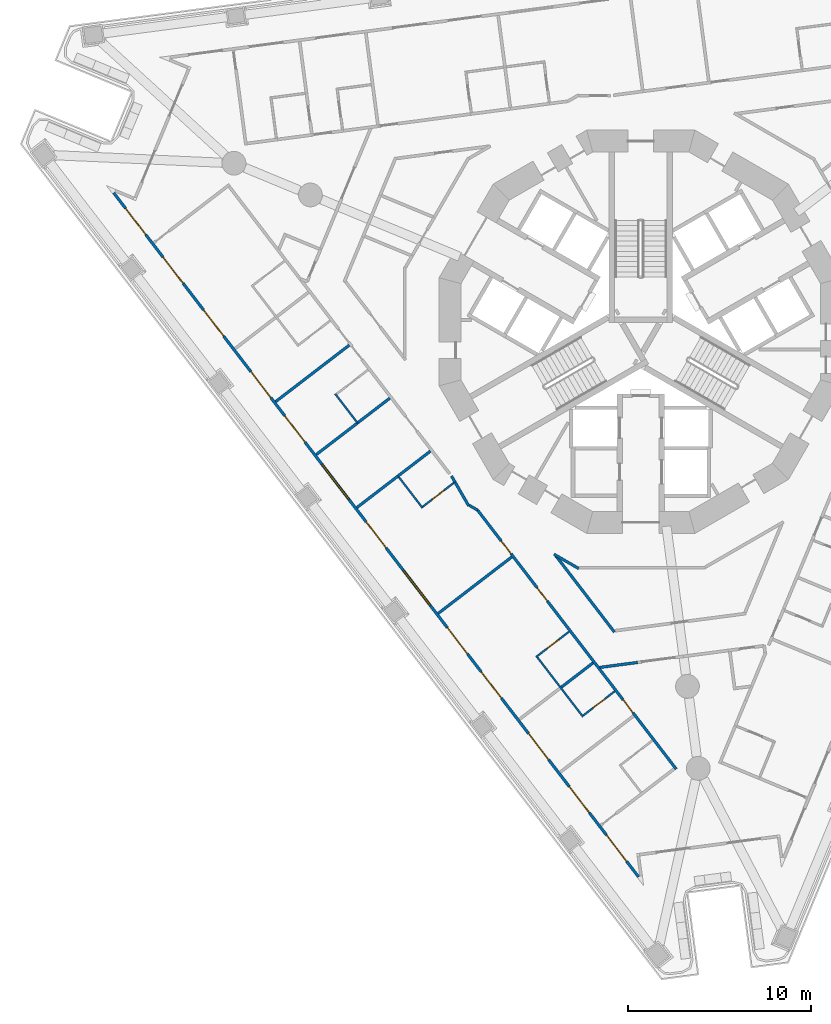
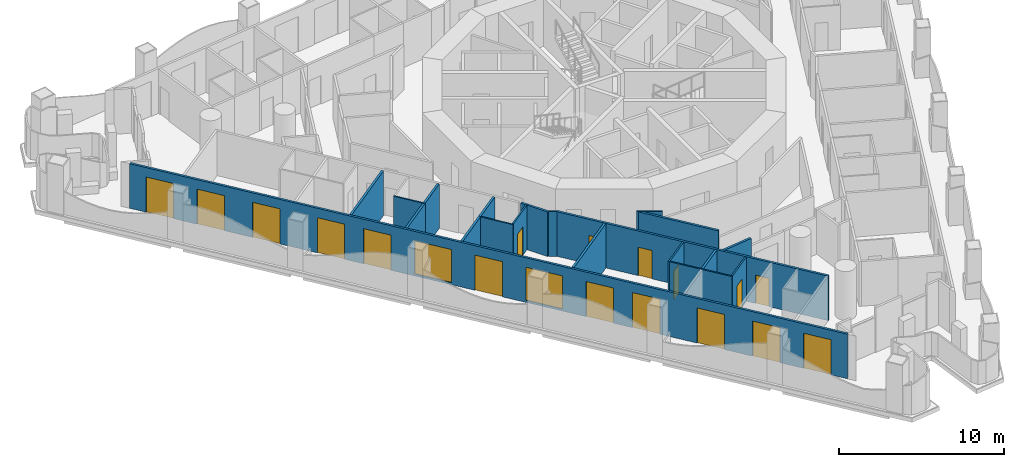
# One storey, part 2 of 19: 21 walls, 17 doors, 2 windows, 19 openings.
"""IFC4 building model written with IfcOpenShell, lengths in metres."""

from ifc_helpers import new_model, si_unit, direction, frame, frame_2d, origin, place, context, subcontext, project, spatial, polyline, rectangle, outline, extrude, material, layer, layer_set, type_object, element, fill, save


model = new_model("IFC4")

# Units and contexts
model_context = context("Model", 3, precision=1e-05, world=origin(), true_north=direction((0.0, 1.0)))
body_context = subcontext(model_context, "Body", "Model", "MODEL_VIEW")
ifc_project = project(units=[si_unit("LENGTHUNIT", "METRE"), si_unit("AREAUNIT", "SQUARE_METRE"), si_unit("VOLUMEUNIT", "CUBIC_METRE"), si_unit("PLANEANGLEUNIT", "RADIAN"), si_unit("MASSUNIT", "GRAM", prefix="KILO")], contexts=[model_context])

# Site, building, storey
site_placement = place(None, origin())
site = spatial("IfcSite", under=ifc_project, at=site_placement, CompositionType="ELEMENT")
building_placement = place(site_placement, origin())
building = spatial("IfcBuilding", under=site, at=building_placement, Name="Trine Commons Tower", CompositionType="ELEMENT")
storey_placement = place(building_placement, frame((0.0, 0.0, 68.39990234375)))
storey = spatial("IfcBuildingStorey", under=building, at=storey_placement, Name="L16", CompositionType="ELEMENT", Elevation=68.39990234375)

# Wall, openings, windows, doors
ifc_material_1 = material(Name="Aluminium-framed insulated wall panel", Category="aluminium")
ifc_layer_1 = layer(ifc_material_1, 0.14990234375)
ifc_layer_set_1 = layer_set([ifc_layer_1], Name="Aluminium-framed insulated wall panel")
wall_type_1 = type_object("IfcWallType", Name="Glazed frame wall 150, EI 60", PredefinedType="SOLIDWALL", material=ifc_layer_set_1)
wall_1_placement = place(storey_placement, frame((79.968994140625, 32.624267578125, 0.0), z_axis=(0.0, 0.0, 1.0), x_axis=(-0.608761526367, 0.793353265585, 0.0)))
wall_1 = element("IfcWall", 1, at=wall_1_placement, inside=storey, type_object=wall_type_1, Name="Glazed frame wall F3", PredefinedType="SOLIDWALL", context=body_context, shape_type="SweptSolid", body=[
    extrude(outline(polyline([(0.1494140625, 0.074951171875), (0.1494140625, -0.074951171875), (47.216796875, -0.074951171875), (47.216796875, 0.074951171875), (0.1494140625, 0.074951171875)])), origin(), (0.0, 0.0, 1.0), 3.300048828125),
])
opening_1_placement = place(wall_1_placement, frame((1.2216796875, 0.0, 0.0)))
opening_1 = element("IfcOpeningElement", 2, at=opening_1_placement, cuts=wall_1, Name="Opening BD-2F3-01", PredefinedType="OPENING", context=body_context, shape_type="SweptSolid", body=[
    extrude(rectangle(XDim=1.800048828125, YDim=2.60009765625, at=frame_2d((0.89990234375, 1.300048828125))), frame((0.0, 0.0849609375, 0.0), z_axis=(0.0, -1.0, 0.0), x_axis=(1.0, 0.0, 0.0)), (0.0, 0.0, 1.0), 0.169921875),
])
opening_2_placement = place(wall_1_placement, frame((4.5654296875, 0.0, 0.0)))
opening_2 = element("IfcOpeningElement", 3, at=opening_2_placement, cuts=wall_1, Name="Opening BD-2F3-02", PredefinedType="OPENING", context=body_context, shape_type="SweptSolid", body=[
    extrude(rectangle(XDim=1.800048828125, YDim=2.60009765625, at=frame_2d((0.89990234375, 1.300048828125))), frame((0.0, 0.0849609375, 0.0), z_axis=(0.0, -1.0, 0.0), x_axis=(1.0, 0.0, 0.0)), (0.0, 0.0, 1.0), 0.169921875),
])
opening_3_placement = place(wall_1_placement, frame((8.208984375, 0.0, 0.0)))
opening_3 = element("IfcOpeningElement", 4, at=opening_3_placement, cuts=wall_1, Name="Opening BD-2F3-03", PredefinedType="OPENING", context=body_context, shape_type="SweptSolid", body=[
    extrude(rectangle(XDim=1.800048828125, YDim=2.60009765625, at=frame_2d((0.89990234375, 1.300048828125))), frame((0.0, 0.0849609375, 0.0), z_axis=(0.0, -1.0, 0.0), x_axis=(1.0, 0.0, 0.0)), (0.0, 0.0, 1.0), 0.169921875),
])
opening_4_placement = place(wall_1_placement, frame((12.45263671875, 0.0, 0.0)))
opening_4 = element("IfcOpeningElement", 5, at=opening_4_placement, cuts=wall_1, Name="Opening BD-2F3-04", PredefinedType="OPENING", context=body_context, shape_type="SweptSolid", body=[
    extrude(rectangle(XDim=1.800048828125, YDim=2.60009765625, at=frame_2d((0.89990234375, 1.300048828125))), frame((0.0, 0.0849609375, 0.0), z_axis=(0.0, -1.0, 0.0), x_axis=(1.0, 0.0, 0.0)), (0.0, 0.0, 1.0), 0.169921875),
])
opening_5_placement = place(wall_1_placement, frame((15.49609375, 0.0, 0.0)))
opening_5 = element("IfcOpeningElement", 6, at=opening_5_placement, cuts=wall_1, Name="Opening BD-2F3-05", PredefinedType="OPENING", context=body_context, shape_type="SweptSolid", body=[
    extrude(rectangle(XDim=1.800048828125, YDim=2.60009765625, at=frame_2d((0.89990234375, 1.300048828125))), frame((0.0, 0.0849609375, 0.0), z_axis=(0.0, -1.0, 0.0), x_axis=(1.0, 0.0, 0.0)), (0.0, 0.0, 1.0), 0.169921875),
])
opening_6_placement = place(wall_1_placement, frame((18.83984375, 0.0, 0.14990234375)))
opening_6 = element("IfcOpeningElement", 7, at=opening_6_placement, cuts=wall_1, Name="Opening W-2F3-06", PredefinedType="OPENING", context=body_context, shape_type="SweptSolid", body=[
    extrude(rectangle(XDim=2.39990234375, YDim=2.449951171875, at=frame_2d((1.199951171875, 1.22509765625))), frame((0.0, 0.0849609375, 0.0), z_axis=(0.0, -1.0, 0.0), x_axis=(1.0, 0.0, 0.0)), (0.0, 0.0, 1.0), 0.169921875),
])
opening_7_placement = place(wall_1_placement, frame((22.783447265625, 0.0, 0.0)))
opening_7 = element("IfcOpeningElement", 8, at=opening_7_placement, cuts=wall_1, Name="Opening BD-2F3-07", PredefinedType="OPENING", context=body_context, shape_type="SweptSolid", body=[
    extrude(rectangle(XDim=1.800048828125, YDim=2.60009765625, at=frame_2d((0.89990234375, 1.300048828125))), frame((0.0, 0.0849609375, 0.0), z_axis=(0.0, -1.0, 0.0), x_axis=(1.0, 0.0, 0.0)), (0.0, 0.0, 1.0), 0.169921875),
])
opening_8_placement = place(wall_1_placement, frame((26.126953125, 0.0, 0.14990234375)))
opening_8 = element("IfcOpeningElement", 9, at=opening_8_placement, cuts=wall_1, Name="Opening W-2F3-08", PredefinedType="OPENING", context=body_context, shape_type="SweptSolid", body=[
    extrude(rectangle(XDim=2.39990234375, YDim=2.449951171875, at=frame_2d((1.199951171875, 1.22509765625))), frame((0.0, 0.0849609375, 0.0), z_axis=(0.0, -1.0, 0.0), x_axis=(1.0, 0.0, 0.0)), (0.0, 0.0, 1.0), 0.169921875),
])
opening_9_placement = place(wall_1_placement, frame((30.070556640625, 0.0, 0.0)))
opening_9 = element("IfcOpeningElement", 10, at=opening_9_placement, cuts=wall_1, Name="Opening BD-2F3-09", PredefinedType="OPENING", context=body_context, shape_type="SweptSolid", body=[
    extrude(rectangle(XDim=1.800048828125, YDim=2.60009765625, at=frame_2d((0.89990234375, 1.300048828125))), frame((0.0, 0.0849609375, 0.0), z_axis=(0.0, -1.0, 0.0), x_axis=(1.0, 0.0, 0.0)), (0.0, 0.0, 1.0), 0.169921875),
])
opening_10_placement = place(wall_1_placement, frame((33.1142578125, 0.0, 0.0)))
opening_10 = element("IfcOpeningElement", 11, at=opening_10_placement, cuts=wall_1, Name="Opening BD-2F3-10", PredefinedType="OPENING", context=body_context, shape_type="SweptSolid", body=[
    extrude(rectangle(XDim=1.800048828125, YDim=2.60009765625, at=frame_2d((0.89990234375, 1.300048828125))), frame((0.0, 0.0849609375, 0.0), z_axis=(0.0, -1.0, 0.0), x_axis=(1.0, 0.0, 0.0)), (0.0, 0.0, 1.0), 0.169921875),
])
opening_11_placement = place(wall_1_placement, frame((37.35791015625, 0.0, 0.0)))
opening_11 = element("IfcOpeningElement", 12, at=opening_11_placement, cuts=wall_1, Name="Opening BD-2F3-11", PredefinedType="OPENING", context=body_context, shape_type="SweptSolid", body=[
    extrude(rectangle(XDim=1.800048828125, YDim=2.60009765625, at=frame_2d((0.89990234375, 1.300048828125))), frame((0.0, 0.0849609375, 0.0), z_axis=(0.0, -1.0, 0.0), x_axis=(1.0, 0.0, 0.0)), (0.0, 0.0, 1.0), 0.169921875),
])
opening_12_placement = place(wall_1_placement, frame((41.00146484375, 0.0, 0.0)))
opening_12 = element("IfcOpeningElement", 13, at=opening_12_placement, cuts=wall_1, Name="Opening BD-2F3-12", PredefinedType="OPENING", context=body_context, shape_type="SweptSolid", body=[
    extrude(rectangle(XDim=1.800048828125, YDim=2.60009765625, at=frame_2d((0.89990234375, 1.300048828125))), frame((0.0, 0.0849609375, 0.0), z_axis=(0.0, -1.0, 0.0), x_axis=(1.0, 0.0, 0.0)), (0.0, 0.0, 1.0), 0.169921875),
])
opening_13_placement = place(wall_1_placement, frame((44.344970703125, 0.0, 0.0)))
opening_13 = element("IfcOpeningElement", 14, at=opening_13_placement, cuts=wall_1, Name="Opening BD-2F3-13", PredefinedType="OPENING", context=body_context, shape_type="SweptSolid", body=[
    extrude(rectangle(XDim=1.800048828125, YDim=2.60009765625, at=frame_2d((0.89990234375, 1.300048828125))), frame((0.0, 0.0849609375, 0.0), z_axis=(0.0, -1.0, 0.0), x_axis=(1.0, 0.0, 0.0)), (0.0, 0.0, 1.0), 0.169921875),
])
ifc_material_2 = material(Name="Anodised aluminium frame with double glazing", Category="aluminium")
window_type = type_object("IfcWindowType", Name="Fixed window 2400x2450", PartitioningType="SINGLE_PANEL", PredefinedType="WINDOW", material=ifc_material_2)
window_1_placement = place(opening_6_placement, origin())
window_1 = element("IfcWindow", 15, at=window_1_placement, inside=storey, type_object=window_type, Name="Window F3 6", OverallHeight=2.449951171875, OverallWidth=2.39990234375, PartitioningType="SINGLE_PANEL", PredefinedType="WINDOW", context=body_context, shape_type="SweptSolid", body=[
    extrude(rectangle(XDim=2.39990234375, YDim=2.449951171875, at=frame_2d((1.199951171875, 1.22509765625))), frame((0.0, 0.030029296875, 0.0), z_axis=(0.0, -1.0, 0.0), x_axis=(1.0, 0.0, 0.0)), (0.0, 0.0, 1.0), 0.06005859375),
])
fill(opening_6, window_1)
window_2_placement = place(opening_8_placement, origin())
window_2 = element("IfcWindow", 16, at=window_2_placement, inside=storey, type_object=window_type, Name="Window F3 8", OverallHeight=2.449951171875, OverallWidth=2.39990234375, PartitioningType="SINGLE_PANEL", PredefinedType="WINDOW", context=body_context, shape_type="SweptSolid", body=[
    extrude(rectangle(XDim=2.39990234375, YDim=2.449951171875, at=frame_2d((1.199951171875, 1.22509765625))), frame((0.0, 0.030029296875, 0.0), z_axis=(0.0, -1.0, 0.0), x_axis=(1.0, 0.0, 0.0)), (0.0, 0.0, 1.0), 0.06005859375),
])
fill(opening_8, window_2)
door_type_1 = type_object("IfcDoorType", Name="Sliding loggia door 1800x2600", OperationType="SLIDING_TO_LEFT", PredefinedType="DOOR", material=ifc_material_2)
door_1_placement = place(opening_1_placement, origin())
door_1 = element("IfcDoor", 17, at=door_1_placement, inside=storey, type_object=door_type_1, Name="Loggia door F3 1", OperationType="SLIDING_TO_LEFT", OverallHeight=2.60009765625, OverallWidth=1.800048828125, PredefinedType="DOOR", context=body_context, shape_type="SweptSolid", body=[
    extrude(rectangle(XDim=1.800048828125, YDim=2.60009765625, at=frame_2d((0.89990234375, 1.300048828125))), frame((0.0, 0.02490234375, 0.0), z_axis=(0.0, -1.0, 0.0), x_axis=(1.0, 0.0, 0.0)), (0.0, 0.0, 1.0), 0.050048828125),
])
fill(opening_1, door_1)
door_2_placement = place(opening_2_placement, origin())
door_2 = element("IfcDoor", 18, at=door_2_placement, inside=storey, type_object=door_type_1, Name="Loggia door F3 2", OperationType="SLIDING_TO_LEFT", OverallHeight=2.60009765625, OverallWidth=1.800048828125, PredefinedType="DOOR", context=body_context, shape_type="SweptSolid", body=[
    extrude(rectangle(XDim=1.800048828125, YDim=2.60009765625, at=frame_2d((0.89990234375, 1.300048828125))), frame((0.0, 0.02490234375, 0.0), z_axis=(0.0, -1.0, 0.0), x_axis=(1.0, 0.0, 0.0)), (0.0, 0.0, 1.0), 0.050048828125),
])
fill(opening_2, door_2)
door_3_placement = place(opening_3_placement, origin())
door_3 = element("IfcDoor", 19, at=door_3_placement, inside=storey, type_object=door_type_1, Name="Loggia door F3 3", OperationType="SLIDING_TO_LEFT", OverallHeight=2.60009765625, OverallWidth=1.800048828125, PredefinedType="DOOR", context=body_context, shape_type="SweptSolid", body=[
    extrude(rectangle(XDim=1.800048828125, YDim=2.60009765625, at=frame_2d((0.89990234375, 1.300048828125))), frame((0.0, 0.02490234375, 0.0), z_axis=(0.0, -1.0, 0.0), x_axis=(1.0, 0.0, 0.0)), (0.0, 0.0, 1.0), 0.050048828125),
])
fill(opening_3, door_3)
door_4_placement = place(opening_4_placement, origin())
door_4 = element("IfcDoor", 20, at=door_4_placement, inside=storey, type_object=door_type_1, Name="Loggia door F3 4", OperationType="SLIDING_TO_LEFT", OverallHeight=2.60009765625, OverallWidth=1.800048828125, PredefinedType="DOOR", context=body_context, shape_type="SweptSolid", body=[
    extrude(rectangle(XDim=1.800048828125, YDim=2.60009765625, at=frame_2d((0.89990234375, 1.300048828125))), frame((0.0, 0.02490234375, 0.0), z_axis=(0.0, -1.0, 0.0), x_axis=(1.0, 0.0, 0.0)), (0.0, 0.0, 1.0), 0.050048828125),
])
fill(opening_4, door_4)
door_5_placement = place(opening_5_placement, origin())
door_5 = element("IfcDoor", 21, at=door_5_placement, inside=storey, type_object=door_type_1, Name="Loggia door F3 5", OperationType="SLIDING_TO_LEFT", OverallHeight=2.60009765625, OverallWidth=1.800048828125, PredefinedType="DOOR", context=body_context, shape_type="SweptSolid", body=[
    extrude(rectangle(XDim=1.800048828125, YDim=2.60009765625, at=frame_2d((0.89990234375, 1.300048828125))), frame((0.0, 0.02490234375, 0.0), z_axis=(0.0, -1.0, 0.0), x_axis=(1.0, 0.0, 0.0)), (0.0, 0.0, 1.0), 0.050048828125),
])
fill(opening_5, door_5)
door_6_placement = place(opening_7_placement, origin())
door_6 = element("IfcDoor", 22, at=door_6_placement, inside=storey, type_object=door_type_1, Name="Loggia door F3 7", OperationType="SLIDING_TO_LEFT", OverallHeight=2.60009765625, OverallWidth=1.800048828125, PredefinedType="DOOR", context=body_context, shape_type="SweptSolid", body=[
    extrude(rectangle(XDim=1.800048828125, YDim=2.60009765625, at=frame_2d((0.89990234375, 1.300048828125))), frame((0.0, 0.02490234375, 0.0), z_axis=(0.0, -1.0, 0.0), x_axis=(1.0, 0.0, 0.0)), (0.0, 0.0, 1.0), 0.050048828125),
])
fill(opening_7, door_6)
door_7_placement = place(opening_9_placement, origin())
door_7 = element("IfcDoor", 23, at=door_7_placement, inside=storey, type_object=door_type_1, Name="Loggia door F3 9", OperationType="SLIDING_TO_LEFT", OverallHeight=2.60009765625, OverallWidth=1.800048828125, PredefinedType="DOOR", context=body_context, shape_type="SweptSolid", body=[
    extrude(rectangle(XDim=1.800048828125, YDim=2.60009765625, at=frame_2d((0.89990234375, 1.300048828125))), frame((0.0, 0.02490234375, 0.0), z_axis=(0.0, -1.0, 0.0), x_axis=(1.0, 0.0, 0.0)), (0.0, 0.0, 1.0), 0.050048828125),
])
fill(opening_9, door_7)
door_8_placement = place(opening_10_placement, origin())
door_8 = element("IfcDoor", 24, at=door_8_placement, inside=storey, type_object=door_type_1, Name="Loggia door F3 10", OperationType="SLIDING_TO_LEFT", OverallHeight=2.60009765625, OverallWidth=1.800048828125, PredefinedType="DOOR", context=body_context, shape_type="SweptSolid", body=[
    extrude(rectangle(XDim=1.800048828125, YDim=2.60009765625, at=frame_2d((0.89990234375, 1.300048828125))), frame((0.0, 0.02490234375, 0.0), z_axis=(0.0, -1.0, 0.0), x_axis=(1.0, 0.0, 0.0)), (0.0, 0.0, 1.0), 0.050048828125),
])
fill(opening_10, door_8)
door_9_placement = place(opening_11_placement, origin())
door_9 = element("IfcDoor", 25, at=door_9_placement, inside=storey, type_object=door_type_1, Name="Loggia door F3 11", OperationType="SLIDING_TO_LEFT", OverallHeight=2.60009765625, OverallWidth=1.800048828125, PredefinedType="DOOR", context=body_context, shape_type="SweptSolid", body=[
    extrude(rectangle(XDim=1.800048828125, YDim=2.60009765625, at=frame_2d((0.89990234375, 1.300048828125))), frame((0.0, 0.02490234375, 0.0), z_axis=(0.0, -1.0, 0.0), x_axis=(1.0, 0.0, 0.0)), (0.0, 0.0, 1.0), 0.050048828125),
])
fill(opening_11, door_9)
door_10_placement = place(opening_12_placement, origin())
door_10 = element("IfcDoor", 26, at=door_10_placement, inside=storey, type_object=door_type_1, Name="Loggia door F3 12", OperationType="SLIDING_TO_LEFT", OverallHeight=2.60009765625, OverallWidth=1.800048828125, PredefinedType="DOOR", context=body_context, shape_type="SweptSolid", body=[
    extrude(rectangle(XDim=1.800048828125, YDim=2.60009765625, at=frame_2d((0.89990234375, 1.300048828125))), frame((0.0, 0.02490234375, 0.0), z_axis=(0.0, -1.0, 0.0), x_axis=(1.0, 0.0, 0.0)), (0.0, 0.0, 1.0), 0.050048828125),
])
fill(opening_12, door_10)
door_11_placement = place(opening_13_placement, origin())
door_11 = element("IfcDoor", 27, at=door_11_placement, inside=storey, type_object=door_type_1, Name="Loggia door F3 13", OperationType="SLIDING_TO_LEFT", OverallHeight=2.60009765625, OverallWidth=1.800048828125, PredefinedType="DOOR", context=body_context, shape_type="SweptSolid", body=[
    extrude(rectangle(XDim=1.800048828125, YDim=2.60009765625, at=frame_2d((0.89990234375, 1.300048828125))), frame((0.0, 0.02490234375, 0.0), z_axis=(0.0, -1.0, 0.0), x_axis=(1.0, 0.0, 0.0)), (0.0, 0.0, 1.0), 0.050048828125),
])
fill(opening_13, door_11)

# Walls
ifc_material_3 = material(Name="Gypsum plasterboard on steel stud", Category="steel")
ifc_layer_2 = layer(ifc_material_3, 0.14990234375)
ifc_layer_set_2 = layer_set([ifc_layer_2], Name="Gypsum plasterboard on steel stud")
wall_type_2 = type_object("IfcWallType", Name="Unit and corridor wall 150 mm, EI 60", PredefinedType="PARTITIONING", material=ifc_layer_set_2)
wall_2_placement = place(storey_placement, frame((60.065673828125, 58.686279296875, 0.0), z_axis=(0.0, 0.0, 1.0), x_axis=(0.793444149255, 0.608643066184, 0.0)))
element("IfcWall", 28, at=wall_2_placement, inside=storey, type_object=wall_type_2, Name="Partition 010", PredefinedType="PARTITIONING", context=body_context, shape_type="SweptSolid", body=[
    extrude(rectangle(XDim=5.063720703125, YDim=0.14990234375, at=frame_2d((2.53173828125, 0.0))), origin(), (0.0, 0.0, 1.0), 3.300048828125),
])
wall_3_placement = place(storey_placement, frame((62.28369140625, 55.79541015625, 0.0), z_axis=(0.0, 0.0, 1.0), x_axis=(0.793376845769, 0.608730794849, 0.0)))
element("IfcWall", 29, at=wall_3_placement, inside=storey, type_object=wall_type_2, Name="Partition 021", PredefinedType="PARTITIONING", context=body_context, shape_type="SweptSolid", body=[
    extrude(rectangle(XDim=2.8427734375, YDim=0.14990234375, at=frame_2d((1.42138671875, 0.0))), origin(), (0.0, 0.0, 1.0), 3.300048828125),
])
wall_4_placement = place(storey_placement, frame((64.501708984375, 52.904296875, 0.0), z_axis=(0.0, 0.0, 1.0), x_axis=(0.793399431095, 0.608701357595, 0.0)))
element("IfcWall", 30, at=wall_4_placement, inside=storey, type_object=wall_type_2, Name="Partition 031", PredefinedType="PARTITIONING", context=body_context, shape_type="SweptSolid", body=[
    extrude(rectangle(XDim=2.830078125, YDim=0.14990234375, at=frame_2d((1.4150390625, 0.0))), origin(), (0.0, 0.0, 1.0), 3.300048828125),
])
wall_5_placement = place(storey_placement, frame((64.532958984375, 57.52197265625, 0.0), z_axis=(0.0, 0.0, 1.0), x_axis=(0.793486460679, 0.608587903856, 0.0)))
element("IfcWall", 31, at=wall_5_placement, inside=storey, type_object=wall_type_2, Name="Partition 032", PredefinedType="PARTITIONING", context=body_context, shape_type="SweptSolid", body=[
    extrude(rectangle(XDim=2.228759765625, YDim=0.14990234375, at=frame_2d((1.1142578125, 0.0))), origin(), (0.0, 0.0, 1.0), 3.300048828125),
])
wall_6_placement = place(storey_placement, frame((66.7470703125, 54.626953125, 0.0), z_axis=(0.0, 0.0, 1.0), x_axis=(0.793289688579, 0.608844372557, 0.0)))
element("IfcWall", 32, at=wall_6_placement, inside=storey, type_object=wall_type_2, Name="Partition 041", PredefinedType="PARTITIONING", context=body_context, shape_type="SweptSolid", body=[
    extrude(rectangle(XDim=2.234375, YDim=0.14990234375, at=frame_2d((1.1171875, 0.0))), origin(), (0.0, 0.0, 1.0), 3.300048828125),
])
wall_7_placement = place(storey_placement, frame((68.937744140625, 47.123291015625, 0.0), z_axis=(0.0, 0.0, 1.0), x_axis=(0.793351017656, 0.608764455913, 0.0)))
element("IfcWall", 33, at=wall_7_placement, inside=storey, type_object=wall_type_2, Name="Partition 047", PredefinedType="PARTITIONING", context=body_context, shape_type="SweptSolid", body=[
    extrude(rectangle(XDim=5.064453125, YDim=0.14990234375, at=frame_2d((2.5322265625, 0.0))), origin(), (0.0, 0.0, 1.0), 3.300048828125),
])
wall_8_placement = place(storey_placement, frame((69.664794921875, 54.6279296875, 0.0), z_axis=(0.0, 0.0, 1.0), x_axis=(0.497978014269, -0.86718965475, 0.0)))
element("IfcWall", 34, at=wall_8_placement, inside=storey, type_object=wall_type_2, Name="Partition 048", PredefinedType="PARTITIONING", context=body_context, shape_type="SweptSolid", body=[
    extrude(rectangle(XDim=0.400146484375, YDim=0.14990234375, at=frame_2d((0.2001953125, 0.0))), origin(), (0.0, 0.0, 1.0), 3.300048828125),
])
wall_9_placement = place(storey_placement, frame((69.826904296875, 54.347412109375, 0.0), z_axis=(0.0, 0.0, 1.0), x_axis=(0.499636333304, -0.866235265065, 0.0)))
element("IfcWall", 35, at=wall_9_placement, inside=storey, type_object=wall_type_2, Name="Partition 049", PredefinedType="PARTITIONING", context=body_context, shape_type="SweptSolid", body=[
    extrude(rectangle(XDim=1.554443359375, YDim=0.14990234375, at=frame_2d((0.77734375, 0.0))), origin(), (0.0, 0.0, 1.0), 3.300048828125),
])
wall_10_placement = place(storey_placement, frame((70.631103515625, 53.028564453125, 0.0), z_axis=(0.0, 0.0, 1.0), x_axis=(0.866215944259, -0.499669828899, 0.0)))
element("IfcWall", 36, at=wall_10_placement, inside=storey, type_object=wall_type_2, Name="Partition 052", PredefinedType="PARTITIONING", context=body_context, shape_type="SweptSolid", body=[
    extrude(rectangle(XDim=0.535400390625, YDim=0.14990234375, at=frame_2d((0.267578125, 0.0))), origin(), (0.0, 0.0, 1.0), 3.300048828125),
])

# Wall, openings, doors
wall_11_placement = place(storey_placement, frame((71.087890625, 52.76611328125, 0.0), z_axis=(0.0, 0.0, 1.0), x_axis=(0.608663951432, -0.793428127953, 0.0)))
wall_11 = element("IfcWall", 37, at=wall_11_placement, inside=storey, type_object=wall_type_2, Name="Partition 055", PredefinedType="PARTITIONING", context=body_context, shape_type="SweptSolid", body=[
    extrude(rectangle(XDim=17.8173828125, YDim=0.14990234375, at=frame_2d((8.90869140625, 0.0))), origin(), (0.0, 0.0, 1.0), 3.300048828125),
])
opening_14_placement = place(wall_11_placement, frame((13.048095703125, 0.0, 0.0)))
opening_14 = element("IfcOpeningElement", 38, at=opening_14_placement, cuts=wall_11, Name="Opening D-2B24", PredefinedType="OPENING", context=body_context, shape_type="SweptSolid", body=[
    extrude(rectangle(XDim=0.89990234375, YDim=2.10009765625, at=frame_2d((0.449951171875, 1.050048828125))), frame((0.0, 0.0849609375, 0.0), z_axis=(0.0, -1.0, 0.0), x_axis=(1.0, 0.0, 0.0)), (0.0, 0.0, 1.0), 0.169921875),
])
opening_15_placement = place(wall_11_placement, frame((5.3544921875, 0.0, 0.0)))
opening_15 = element("IfcOpeningElement", 39, at=opening_15_placement, cuts=wall_11, Name="Opening D-2B25", PredefinedType="OPENING", context=body_context, shape_type="SweptSolid", body=[
    extrude(rectangle(XDim=0.89990234375, YDim=2.10009765625, at=frame_2d((0.449951171875, 1.050048828125))), frame((0.0, 0.0849609375, 0.0), z_axis=(0.0, -1.0, 0.0), x_axis=(1.0, 0.0, 0.0)), (0.0, 0.0, 1.0), 0.169921875),
])
opening_16_placement = place(wall_11_placement, frame((2.11767578125, 0.0, 0.0)))
opening_16 = element("IfcOpeningElement", 40, at=opening_16_placement, cuts=wall_11, Name="Opening D-2B26", PredefinedType="OPENING", context=body_context, shape_type="SweptSolid", body=[
    extrude(rectangle(XDim=0.89990234375, YDim=2.10009765625, at=frame_2d((0.449951171875, 1.050048828125))), frame((0.0, 0.0849609375, 0.0), z_axis=(0.0, -1.0, 0.0), x_axis=(1.0, 0.0, 0.0)), (0.0, 0.0, 1.0), 0.169921875),
])
ifc_material_4 = material(Name="Timber fire door set", Category="wood")
door_type_2 = type_object("IfcDoorType", Name="Bedroom door 900 x 2100, FD30S", OperationType="NOTDEFINED", PredefinedType="DOOR", material=ifc_material_4)
door_12_placement = place(opening_14_placement, frame((0.89990234375, 0.0, 0.0), z_axis=(0.0, 0.0, 1.0), x_axis=(-1.0, 0.0, 0.0)))
door_12 = element("IfcDoor", 41, at=door_12_placement, inside=storey, type_object=door_type_2, Name="Door D-2B24", OperationType="SINGLE_SWING_LEFT", OverallHeight=2.10009765625, OverallWidth=0.89990234375, PredefinedType="DOOR", context=body_context, shape_type="SweptSolid", body=[
    extrude(rectangle(XDim=0.89990234375, YDim=2.10009765625, at=frame_2d((0.449951171875, 1.050048828125))), frame((0.0, 0.02490234375, 0.0), z_axis=(0.0, -1.0, 0.0), x_axis=(1.0, 0.0, 0.0)), (0.0, 0.0, 1.0), 0.050048828125),
])
fill(opening_14, door_12)
door_13_placement = place(opening_15_placement, frame((0.89990234375, 0.0, 0.0), z_axis=(0.0, 0.0, 1.0), x_axis=(-1.0, 0.0, 0.0)))
door_13 = element("IfcDoor", 42, at=door_13_placement, inside=storey, type_object=door_type_2, Name="Door D-2B25", OperationType="SINGLE_SWING_RIGHT", OverallHeight=2.10009765625, OverallWidth=0.89990234375, PredefinedType="DOOR", context=body_context, shape_type="SweptSolid", body=[
    extrude(rectangle(XDim=0.89990234375, YDim=2.10009765625, at=frame_2d((0.449951171875, 1.050048828125))), frame((0.0, 0.02490234375, 0.0), z_axis=(0.0, -1.0, 0.0), x_axis=(1.0, 0.0, 0.0)), (0.0, 0.0, 1.0), 0.050048828125),
])
fill(opening_15, door_13)
door_14_placement = place(opening_16_placement, frame((0.89990234375, 0.0, 0.0), z_axis=(0.0, 0.0, 1.0), x_axis=(-1.0, 0.0, 0.0)))
door_14 = element("IfcDoor", 43, at=door_14_placement, inside=storey, type_object=door_type_2, Name="Door D-2B26", OperationType="SINGLE_SWING_RIGHT", OverallHeight=2.10009765625, OverallWidth=0.89990234375, PredefinedType="DOOR", context=body_context, shape_type="SweptSolid", body=[
    extrude(rectangle(XDim=0.89990234375, YDim=2.10009765625, at=frame_2d((0.449951171875, 1.050048828125))), frame((0.0, 0.02490234375, 0.0), z_axis=(0.0, -1.0, 0.0), x_axis=(1.0, 0.0, 0.0)), (0.0, 0.0, 1.0), 0.050048828125),
])
fill(opening_16, door_14)

# Walls
wall_12_placement = place(storey_placement, frame((75.260986328125, 50.35546875, 0.0), z_axis=(0.0, 0.0, 1.0), x_axis=(0.866029224906, -0.499993381564, 0.0)))
element("IfcWall", 44, at=wall_12_placement, inside=storey, type_object=wall_type_2, Name="Partition 065", PredefinedType="PARTITIONING", context=body_context, shape_type="SweptSolid", body=[
    extrude(rectangle(XDim=1.56005859375, YDim=0.14990234375, at=frame_2d((0.780029296875, 0.0))), origin(), (0.0, 0.0, 1.0), 3.300048828125),
])
wall_13_placement = place(storey_placement, frame((75.373779296875, 50.257568359375, 0.0), z_axis=(0.0, 0.0, 1.0), x_axis=(0.608769592338, -0.793347076282, 0.0)))
element("IfcWall", 45, at=wall_13_placement, inside=storey, type_object=wall_type_2, Name="Partition 066", PredefinedType="PARTITIONING", context=body_context, shape_type="SweptSolid", body=[
    extrude(rectangle(XDim=5.22998046875, YDim=0.14990234375, at=frame_2d((2.614990234375, 0.0))), origin(), (0.0, 0.0, 1.0), 3.300048828125),
])
wall_14_placement = place(storey_placement, frame((75.666748046875, 43.100341796875, 0.0), z_axis=(0.0, 0.0, 1.0), x_axis=(0.793253832781, 0.608891087781, 0.0)))
element("IfcWall", 46, at=wall_14_placement, inside=storey, type_object=wall_type_2, Name="Partition 068", PredefinedType="PARTITIONING", context=body_context, shape_type="SweptSolid", body=[
    extrude(rectangle(XDim=2.17431640625, YDim=0.14990234375, at=frame_2d((1.087158203125, 0.0))), origin(), (0.0, 0.0, 1.0), 3.300048828125),
])
wall_15_placement = place(storey_placement, frame((77.75732421875, 44.177734375, 0.0), z_axis=(0.0, 0.0, 1.0), x_axis=(0.99142565409, 0.130672003172, 0.0)))
element("IfcWall", 47, at=wall_15_placement, inside=storey, type_object=wall_type_2, Name="Partition 073", PredefinedType="PARTITIONING", context=body_context, shape_type="SweptSolid", body=[
    extrude(rectangle(XDim=2.090576171875, YDim=0.14990234375, at=frame_2d((1.04541015625, 0.0))), origin(), (0.0, 0.0, 1.0), 3.300048828125),
])
ifc_layer_3 = layer(ifc_material_3, 0.10009765625)
ifc_layer_set_3 = layer_set([ifc_layer_3], Name="Gypsum plasterboard on steel stud")
wall_type_3 = type_object("IfcWallType", Name="Unit partition 100 mm, no rating", PredefinedType="PARTITIONING", material=ifc_layer_set_3)
wall_16_placement = place(storey_placement, frame((63.318603515625, 59.110595703125, 0.0), z_axis=(0.0, 0.0, 1.0), x_axis=(0.608695491843, -0.793403931305, 0.0)))
element("IfcWall", 48, at=wall_16_placement, inside=storey, type_object=wall_type_3, Name="Partition 023", PredefinedType="PARTITIONING", context=body_context, shape_type="SweptSolid", body=[
    extrude(rectangle(XDim=1.999755859375, YDim=0.10009765625, at=frame_2d((1.0, 0.0))), origin(), (0.0, 0.0, 1.0), 3.300048828125),
])
wall_17_placement = place(storey_placement, frame((66.792724609375, 54.5673828125, 0.0), z_axis=(0.0, 0.0, 1.0), x_axis=(0.608971833678, -0.793191846773, 0.0)))
element("IfcWall", 49, at=wall_17_placement, inside=storey, type_object=wall_type_3, Name="Partition 040", PredefinedType="PARTITIONING", context=body_context, shape_type="SweptSolid", body=[
    extrude(rectangle(XDim=2.12451171875, YDim=0.10009765625, at=frame_2d((1.062255859375, 0.0))), origin(), (0.0, 0.0, 1.0), 3.300048828125),
])

# Wall, opening, door
wall_18_placement = place(storey_placement, frame((68.095703125, 52.952392578125, 0.0), z_axis=(0.0, 0.0, 1.0), x_axis=(0.793466847066, 0.608613475538, 0.0)))
wall_18 = element("IfcWall", 50, at=wall_18_placement, inside=storey, type_object=wall_type_3, Name="Partition 045", PredefinedType="PARTITIONING", context=body_context, shape_type="SweptSolid", body=[
    extrude(rectangle(XDim=2.140869140625, YDim=0.10009765625, at=frame_2d((1.0703125, 0.0))), origin(), (0.0, 0.0, 1.0), 3.300048828125),
])
opening_17_placement = place(wall_18_placement, frame((0.67041015625, 0.0, 0.0)))
opening_17 = element("IfcOpeningElement", 51, at=opening_17_placement, cuts=wall_18, Name="Opening D-2B54", PredefinedType="OPENING", context=body_context, shape_type="SweptSolid", body=[
    extrude(rectangle(XDim=0.800048828125, YDim=2.10009765625, at=frame_2d((0.39990234375, 1.050048828125))), frame((0.0, 0.06005859375, 0.0), z_axis=(0.0, -1.0, 0.0), x_axis=(1.0, 0.0, 0.0)), (0.0, 0.0, 1.0), 0.1201171875),
])
ifc_material_5 = material(Name="Painted timber", Category="wood")
door_type_3 = type_object("IfcDoorType", Name="Internal door 800 x 2100, NOT RATED", OperationType="NOTDEFINED", PredefinedType="DOOR", material=ifc_material_5)
door_15_placement = place(opening_17_placement, frame((0.800048828125, 0.0, 0.0), z_axis=(0.0, 0.0, 1.0), x_axis=(-1.0, 0.0, 0.0)))
door_15 = element("IfcDoor", 52, at=door_15_placement, inside=storey, type_object=door_type_3, Name="Door D-2B54", OperationType="SINGLE_SWING_LEFT", OverallHeight=2.10009765625, OverallWidth=0.800048828125, PredefinedType="DOOR", context=body_context, shape_type="SweptSolid", body=[
    extrude(rectangle(XDim=0.800048828125, YDim=2.10009765625, at=frame_2d((0.39990234375, 1.050048828125))), frame((0.0, 0.02490234375, 0.0), z_axis=(0.0, -1.0, 0.0), x_axis=(1.0, 0.0, 0.0)), (0.0, 0.0, 1.0), 0.050048828125),
])
fill(opening_17, door_15)

wall_19_placement = place(storey_placement, frame((74.2783203125, 44.74560546875, 0.0), z_axis=(0.0, 0.0, 1.0), x_axis=(0.793277976561, 0.608859632348, 0.0)))
wall_19 = element("IfcWall", 53, at=wall_19_placement, inside=storey, type_object=wall_type_3, Name="Partition 061", PredefinedType="PARTITIONING", context=body_context, shape_type="SweptSolid", body=[
    extrude(rectangle(XDim=2.2744140625, YDim=0.10009765625, at=frame_2d((1.13720703125, 0.0))), origin(), (0.0, 0.0, 1.0), 3.300048828125),
])
opening_18_placement = place(wall_19_placement, frame((0.76220703125, 0.0, 0.0)))
opening_18 = element("IfcOpeningElement", 54, at=opening_18_placement, cuts=wall_19, Name="Opening D-2B53", PredefinedType="OPENING", context=body_context, shape_type="SweptSolid", body=[
    extrude(rectangle(XDim=0.800048828125, YDim=2.10009765625, at=frame_2d((0.39990234375, 1.050048828125))), frame((0.0, 0.06005859375, 0.0), z_axis=(0.0, -1.0, 0.0), x_axis=(1.0, 0.0, 0.0)), (0.0, 0.0, 1.0), 0.1201171875),
])
door_16_placement = place(opening_18_placement, origin())
door_16 = element("IfcDoor", 55, at=door_16_placement, inside=storey, type_object=door_type_3, Name="Door D-2B53", OperationType="SINGLE_SWING_RIGHT", OverallHeight=2.10009765625, OverallWidth=0.800048828125, PredefinedType="DOOR", context=body_context, shape_type="SweptSolid", body=[
    extrude(rectangle(XDim=0.800048828125, YDim=2.10009765625, at=frame_2d((0.39990234375, 1.050048828125))), frame((0.0, 0.02490234375, 0.0), z_axis=(0.0, -1.0, 0.0), x_axis=(1.0, 0.0, 0.0)), (0.0, 0.0, 1.0), 0.050048828125),
])
fill(opening_18, door_16)

# Wall
wall_20_placement = place(storey_placement, frame((74.348388671875, 44.736328125, 0.0), z_axis=(0.0, 0.0, 1.0), x_axis=(0.608766496324, -0.793349451978, 0.0)))
element("IfcWall", 56, at=wall_20_placement, inside=storey, type_object=wall_type_3, Name="Partition 062", PredefinedType="PARTITIONING", context=body_context, shape_type="SweptSolid", body=[
    extrude(rectangle(XDim=4.100341796875, YDim=0.10009765625, at=frame_2d((2.05029296875, 0.0))), origin(), (0.0, 0.0, 1.0), 3.300048828125),
])

# Wall, opening, door
wall_21_placement = place(storey_placement, frame((76.853759765625, 41.553466796875, 0.0), z_axis=(0.0, 0.0, 1.0), x_axis=(0.793308064866, 0.608820428549, 0.0)))
wall_21 = element("IfcWall", 57, at=wall_21_placement, inside=storey, type_object=wall_type_3, Name="Partition 072", PredefinedType="PARTITIONING", context=body_context, shape_type="SweptSolid", body=[
    extrude(rectangle(XDim=2.17431640625, YDim=0.10009765625, at=frame_2d((1.087158203125, 0.0))), origin(), (0.0, 0.0, 1.0), 3.300048828125),
])
opening_19_placement = place(wall_21_placement, frame((0.687255859375, 0.0, 0.0)))
opening_19 = element("IfcOpeningElement", 58, at=opening_19_placement, cuts=wall_21, Name="Opening D-2B52", PredefinedType="OPENING", context=body_context, shape_type="SweptSolid", body=[
    extrude(rectangle(XDim=0.800048828125, YDim=2.10009765625, at=frame_2d((0.39990234375, 1.050048828125))), frame((0.0, 0.06005859375, 0.0), z_axis=(0.0, -1.0, 0.0), x_axis=(1.0, 0.0, 0.0)), (0.0, 0.0, 1.0), 0.1201171875),
])
door_17_placement = place(opening_19_placement, frame((0.800048828125, 0.0, 0.0), z_axis=(0.0, 0.0, 1.0), x_axis=(-1.0, 0.0, 0.0)))
door_17 = element("IfcDoor", 59, at=door_17_placement, inside=storey, type_object=door_type_3, Name="Door D-2B52", OperationType="SINGLE_SWING_LEFT", OverallHeight=2.10009765625, OverallWidth=0.800048828125, PredefinedType="DOOR", context=body_context, shape_type="SweptSolid", body=[
    extrude(rectangle(XDim=0.800048828125, YDim=2.10009765625, at=frame_2d((0.39990234375, 1.050048828125))), frame((0.0, 0.02490234375, 0.0), z_axis=(0.0, -1.0, 0.0), x_axis=(1.0, 0.0, 0.0)), (0.0, 0.0, 1.0), 0.050048828125),
])
fill(opening_19, door_17)

save(model, "model.ifc")
